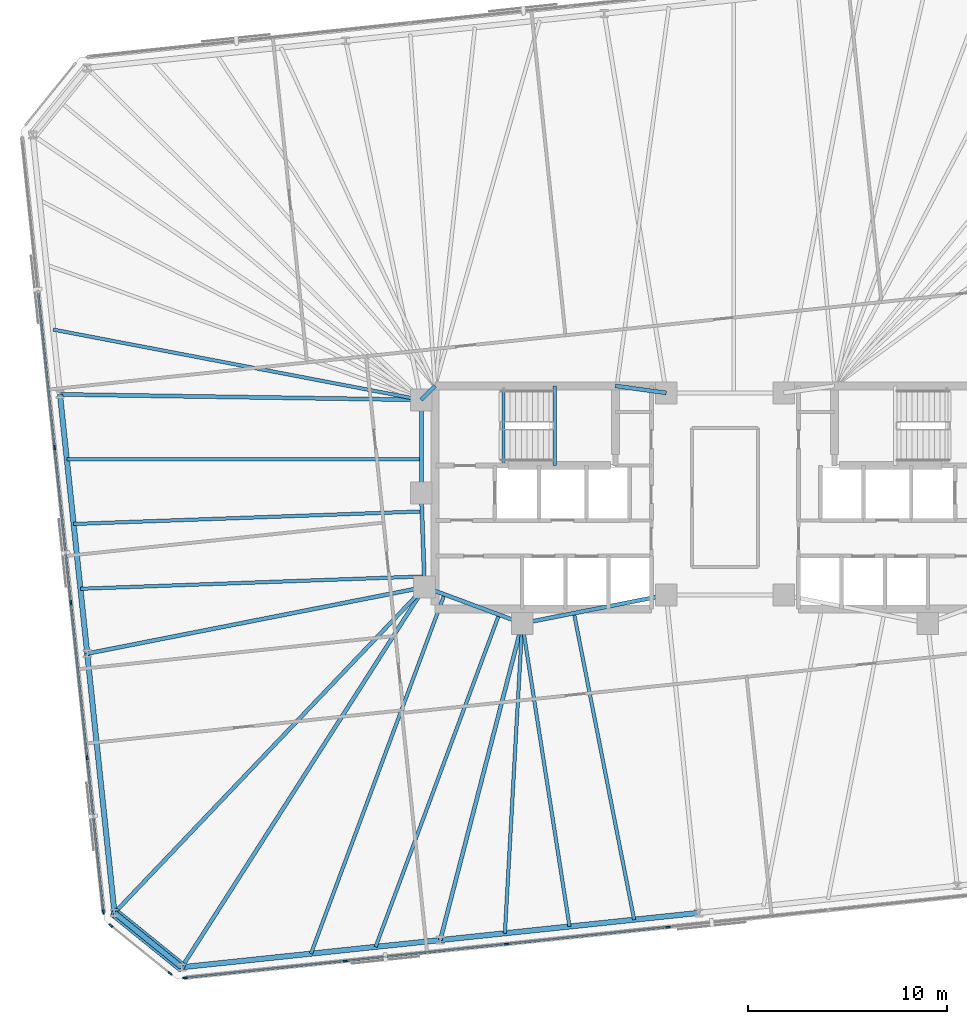
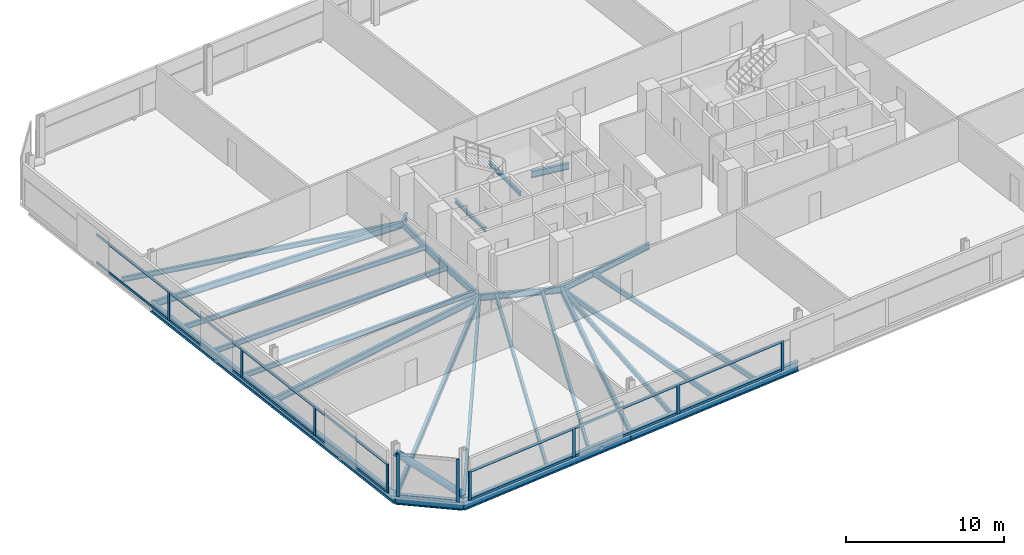
# One storey, part 6 of 18: 27 beams, 25 members, 3 elements without a shape of their own.
"""IFC4 building model written with IfcOpenShell, lengths in metres."""

import ifcopenshell
import ifcopenshell.guid

model = None  # the IFC model being written
_history = None  # IfcOwnerHistory: only IFC2X3 demands one
_inside = {}  # id of a spatial element -> (the spatial element, [elements in it])
_under = {}  # id of a project, library or spatial element -> (it, [spatial elements below it])
_declared = {}  # id of a project -> (the project, [libraries it declares])
_typed = {}  # id of a type object -> (the type object, [elements of that type])
_made_of = {}  # id of a material, layer set ... -> (it, [elements and type objects made of it])


def new_model(schema):
    """Start an empty IFC model of exactly this schema.

    Asked for "IFC4X3", IfcOpenShell would pick the latest addendum, in which some entities
    have other attributes; the version numbers below select the first issue.
    IFC2X3 requires an IfcOwnerHistory on every rooted entity: one is made here for all.
    """
    global model, _history
    if schema == "IFC4X3":
        model = ifcopenshell.file(schema_version=(4, 3, 0, 0))
    else:
        model = ifcopenshell.file(schema=schema)
    _inside.clear()
    _under.clear()
    _declared.clear()
    _typed.clear()
    _made_of.clear()
    _history = None
    if model.schema == "IFC2X3":
        org = make("IfcOrganization", Name="unknown")
        user = make(
            "IfcPersonAndOrganization",
            ThePerson=make("IfcPerson", FamilyName="unknown"),
            TheOrganization=org,
        )
        app = make(
            "IfcApplication",
            ApplicationDeveloper=org,
            Version="unknown",
            ApplicationFullName="unknown",
            ApplicationIdentifier="unknown",
        )
        _history = make(
            "IfcOwnerHistory",
            OwningUser=user,
            OwningApplication=app,
            ChangeAction="ADDED",
            CreationDate=0,
        )
    return model


def make(cls, **values):
    """One entity of the class cls with the attributes given. An attribute that is None is left unset."""
    return model.create_entity(
        cls, **{name: value for name, value in values.items() if value is not None}
    )


def rooted(cls, **values):
    """An entity with a GlobalId (a new one), such as an element, a storey or a relation."""
    return make(cls, GlobalId=ifcopenshell.guid.new(), OwnerHistory=_history, **values)


def si_unit(unit_type, name, prefix=None):
    """IfcSIUnit, for example si_unit("LENGTHUNIT", "METRE", prefix="MILLI")."""
    return make("IfcSIUnit", UnitType=unit_type, Prefix=prefix, Name=name)


def assignment(units):
    """IfcUnitAssignment: the units of a project."""
    return None if units is None else make("IfcUnitAssignment", Units=units)


def point(xyz):
    """IfcCartesianPoint."""
    return None if xyz is None else make("IfcCartesianPoint", Coordinates=xyz)


def direction(xyz):
    """IfcDirection."""
    return None if xyz is None else make("IfcDirection", DirectionRatios=xyz)


def frame(location, z_axis=None, x_axis=None):
    """IfcAxis2Placement3D, a coordinate frame: its origin and axes. An axis left out is left unset."""
    return make(
        "IfcAxis2Placement3D",
        Location=point(location),
        Axis=direction(z_axis),
        RefDirection=direction(x_axis),
    )


def frame_2d(location, x_axis=None):
    """IfcAxis2Placement2D, a coordinate frame in the plane: its origin and x axis."""
    return make(
        "IfcAxis2Placement2D", Location=point(location), RefDirection=direction(x_axis)
    )


def origin():
    """The frame at (0, 0, 0) with its axes left unset."""
    return frame((0.0, 0.0, 0.0))


def origin_2d():
    """The frame at (0, 0) in the plane with its x axis left unset."""
    return frame_2d((0.0, 0.0))


def place(relative_to, where):
    """IfcLocalPlacement: puts the frame where relative to a parent placement (None: the world)."""
    return make(
        "IfcLocalPlacement", PlacementRelTo=relative_to, RelativePlacement=where
    )


def context(
    kind, dimensions, precision=None, world=None, true_north=None, identifier=None
):
    """IfcGeometricRepresentationContext, for example the 3D "Model" context."""
    return make(
        "IfcGeometricRepresentationContext",
        ContextIdentifier=identifier,
        ContextType=kind,
        CoordinateSpaceDimension=dimensions,
        Precision=precision,
        WorldCoordinateSystem=world,
        TrueNorth=true_north,
    )


def subcontext(parent, identifier, kind, view, scale=None):
    """IfcGeometricRepresentationSubContext, for example "Body" below "Model"."""
    return make(
        "IfcGeometricRepresentationSubContext",
        ContextIdentifier=identifier,
        ContextType=kind,
        ParentContext=parent,
        TargetScale=scale,
        TargetView=view,
    )


def project(units=None, contexts=None):
    """IfcProject with its units and contexts."""
    return rooted(
        "IfcProject",
        Name="project",
        RepresentationContexts=contexts,
        UnitsInContext=assignment(units),
    )


def spatial(cls, under=None, at=None, **own):
    """A site, building, storey or space (cls), placed at a placement, below another one or the project."""
    s = rooted(cls, ObjectPlacement=at, **own)
    if under is not None:
        _under.setdefault(under.id(), (under, []))[1].append(s)
    return s


def profile(cls, at=None, kind="AREA", **sizes):
    """A parametric profile (cls). Its sizes go by their IFC names, for example OverallWidth=200.0."""
    return make(cls, ProfileType=kind, Position=at, **sizes)


def rectangle(**sizes):
    """IfcRectangleProfileDef."""
    return profile("IfcRectangleProfileDef", **sizes)


def hollow_circle(**sizes):
    """IfcCircleHollowProfileDef."""
    return profile("IfcCircleHollowProfileDef", **sizes)


def i_section(**sizes):
    """IfcIShapeProfileDef."""
    return profile("IfcIShapeProfileDef", **sizes)


def extrude(swept, where, along, depth):
    """IfcExtrudedAreaSolid: the profile swept, set in the frame where, extruded along a direction by depth."""
    return make(
        "IfcExtrudedAreaSolid",
        SweptArea=swept,
        Position=where,
        ExtrudedDirection=direction(along),
        Depth=depth,
    )


def shape(context_of_items, identifier, shape_type, items):
    """IfcShapeRepresentation: the items that make up one representation, for example the "Body"."""
    return make(
        "IfcShapeRepresentation",
        ContextOfItems=context_of_items,
        RepresentationIdentifier=identifier,
        RepresentationType=shape_type,
        Items=items,
    )


def material(Name=None, Category=None):
    """IfcMaterial."""
    return make("IfcMaterial", Name=Name, Category=Category)


def material_profile(
    of_material, cross_section, Name=None, Category=None, Priority=None
):
    """IfcMaterialProfile: a cross section and its material."""
    return make(
        "IfcMaterialProfile",
        Name=Name,
        Material=of_material,
        Profile=cross_section,
        Priority=Priority,
        Category=Category,
    )


def profile_set(profiles, Name=None, composite=None):
    """IfcMaterialProfileSet."""
    return make(
        "IfcMaterialProfileSet",
        Name=Name,
        MaterialProfiles=profiles,
        CompositeProfile=composite,
    )


def made_of(thing, what):
    """Note that an element or type object is made of a material, layer set ...; save() writes the relation."""
    if what is not None:
        _made_of.setdefault(what.id(), (what, []))[1].append(thing)
    return thing


def type_object(cls, material=None, **own):
    """A type object (cls), such as IfcWallType, which elements share."""
    return made_of(rooted(cls, **own), material)


def element(
    cls,
    number,
    at=None,
    inside=None,
    cuts=None,
    type_object=None,
    material=None,
    context=None,
    identifier="Body",
    shape_type=None,
    held_by="IfcProductDefinitionShape",
    body=None,
    shapes=None,
    **own,
):
    """One element of the class cls, such as IfcWall. Its Tag is "e" and its number.

    at: its placement. inside: the storey or other place that contains it. cuts: it is an
    opening in that element (IfcRelVoidsElement). A single representation is given by context,
    identifier, shape_type and body (its items); several are given by shapes. held_by: the class
    of the entity that holds the representations. save() writes the other relations.
    """
    e = rooted(cls, Tag="e%d" % number, ObjectPlacement=at, **own)
    if body is not None:
        shapes = [shape(context, identifier, shape_type, body)]
    if shapes is not None:
        e.Representation = make(held_by, Representations=shapes)
    if inside is not None:
        _inside.setdefault(inside.id(), (inside, []))[1].append(e)
    if cuts is not None:
        rooted(
            "IfcRelVoidsElement", RelatingBuildingElement=cuts, RelatedOpeningElement=e
        )
    if type_object is not None:
        _typed.setdefault(type_object.id(), (type_object, []))[1].append(e)
    return made_of(e, material)


def aggregate(whole, parts):
    """IfcRelAggregates: a whole, such as a stair, and the parts it consists of."""
    return rooted("IfcRelAggregates", RelatingObject=whole, RelatedObjects=parts)


def save(model, path):
    """Write the relations noted so far, then the file.

    IfcRelAggregates (storeys below a building ...), IfcRelContainedInSpatialStructure (elements
    in a storey), IfcRelDefinesByType, IfcRelAssociatesMaterial and IfcRelDeclares: one each for
    every whole, place, type object, material and project.
    """
    for whole, parts in _under.values():
        aggregate(whole, parts)
    for where, things in _inside.values():
        rooted(
            "IfcRelContainedInSpatialStructure",
            RelatedElements=things,
            RelatingStructure=where,
        )
    for kind, things in _typed.values():
        rooted("IfcRelDefinesByType", RelatedObjects=things, RelatingType=kind)
    for what, things in _made_of.values():
        rooted("IfcRelAssociatesMaterial", RelatedObjects=things, RelatingMaterial=what)
    for by, libraries in _declared.values():
        rooted("IfcRelDeclares", RelatingContext=by, RelatedDefinitions=libraries)
    model.write(path)


model = new_model("IFC4")

# Units and contexts
model_context = context("Model", 3, precision=1e-05, world=origin(), true_north=direction((0.0, 1.0)))
body_context = subcontext(model_context, "Body", "Model", "MODEL_VIEW")
ifc_project = project(units=[si_unit("LENGTHUNIT", "METRE"), si_unit("AREAUNIT", "SQUARE_METRE"), si_unit("VOLUMEUNIT", "CUBIC_METRE"), si_unit("PLANEANGLEUNIT", "RADIAN"), si_unit("MASSUNIT", "GRAM", prefix="KILO")], contexts=[model_context])

# Site, building, storey
site_placement = place(None, origin())
site = spatial("IfcSite", under=ifc_project, at=site_placement, CompositionType="ELEMENT")
building_placement = place(site_placement, origin())
building = spatial("IfcBuilding", under=site, at=building_placement, Name="Menara Jurai Vektor", CompositionType="ELEMENT")
storey_placement = place(building_placement, frame((0.0, 0.0, 139.199951171875)))
storey = spatial("IfcBuildingStorey", under=building, at=storey_placement, Name="L35", CompositionType="ELEMENT", Elevation=139.199951171875)

# Curtain wall, members
ifc_material_1 = material(Name="Anodised Pale Aluminium & Low-E Double Glazing", Category="aluminium")
curtain_wall_type = type_object("IfcCurtainWallType", Name="CW-BLK2", PredefinedType="NOTDEFINED", material=ifc_material_1)
curtain_wall_1_placement = place(storey_placement, origin())
curtain_wall_1 = element("IfcCurtainWall", 1, at=curtain_wall_1_placement, inside=storey, type_object=curtain_wall_type, Name="Unitised Curtain Wall L35 F01", PredefinedType="NOTDEFINED")
ifc_material_2 = material(Name="Anodised Pale Aluminium Mullion", Category="aluminium")
ifc_material_profile_1 = material_profile(ifc_material_2, rectangle(XDim=0.090087890625, YDim=0.219970703125, at=origin_2d()), Name="ALU MUL 90x220")
ifc_profile_set_1 = profile_set([ifc_material_profile_1], Name="Anodised Pale Aluminium Mullion")
member_type_1 = type_object("IfcMemberType", Name="CW-BLK2-MUL", PredefinedType="MULLION", material=ifc_profile_set_1)
member_1_placement = place(storey_placement, frame((-27.116455078125, -24.122314453125, 0.0), z_axis=(0.0, 0.0, 1.0), x_axis=(-0.104528634935, 0.994521877325, 0.0)))
member_1 = element("IfcMember", 2, at=member_1_placement, type_object=member_type_1, Name="CW-02 mullion 1", PredefinedType="MULLION", context=body_context, shape_type="SweptSolid", body=[
    extrude(rectangle(XDim=0.090087890625, YDim=0.219970703125, at=origin_2d()), origin(), (0.0, 0.0, 1.0), 2.259033203125),
])
member_2_placement = place(storey_placement, frame((-19.0634765625, -23.27587890625, 0.0), z_axis=(0.0, 0.0, 1.0), x_axis=(-0.104528634935, 0.994521877325, 0.0)))
member_2 = element("IfcMember", 3, at=member_2_placement, type_object=member_type_1, Name="CW-02 mullion 2", PredefinedType="MULLION", context=body_context, shape_type="SweptSolid", body=[
    extrude(rectangle(XDim=0.090087890625, YDim=0.219970703125, at=origin_2d()), origin(), (0.0, 0.0, 1.0), 2.259033203125),
])
member_3_placement = place(storey_placement, frame((-10.965576171875, -22.4248046875, 0.0), z_axis=(0.0, 0.0, 1.0), x_axis=(-0.104528634935, 0.994521877325, 0.0)))
member_3 = element("IfcMember", 4, at=member_3_placement, type_object=member_type_1, Name="CW-02 mullion 3", PredefinedType="MULLION", context=body_context, shape_type="SweptSolid", body=[
    extrude(rectangle(XDim=0.090087890625, YDim=0.219970703125, at=origin_2d()), origin(), (0.0, 0.0, 1.0), 2.259033203125),
])
member_4_placement = place(storey_placement, frame((-2.86767578125, -21.57373046875, 0.0), z_axis=(0.0, 0.0, 1.0), x_axis=(-0.104528634935, 0.994521877325, 0.0)))
member_4 = element("IfcMember", 5, at=member_4_placement, type_object=member_type_1, Name="CW-02 mullion 4", PredefinedType="MULLION", context=body_context, shape_type="SweptSolid", body=[
    extrude(rectangle(XDim=0.090087890625, YDim=0.219970703125, at=origin_2d()), origin(), (0.0, 0.0, 1.0), 2.259033203125),
])

curtain_wall_2_placement = place(storey_placement, origin())
curtain_wall_2 = element("IfcCurtainWall", 6, at=curtain_wall_2_placement, inside=storey, type_object=curtain_wall_type, Name="Unitised Curtain Wall L35 F07", PredefinedType="NOTDEFINED")
member_5_placement = place(storey_placement, frame((-33.66064453125, 2.50341796875, 0.0), z_axis=(0.0, 0.0, 1.0), x_axis=(0.99452177832, 0.104529576902, 0.0)))
member_5 = element("IfcMember", 7, at=member_5_placement, type_object=member_type_1, Name="CW-02 mullion 3", PredefinedType="MULLION", context=body_context, shape_type="SweptSolid", body=[
    extrude(rectangle(XDim=0.090087890625, YDim=0.219970703125, at=origin_2d()), origin(), (0.0, 0.0, 1.0), 2.259033203125),
])
member_6_placement = place(storey_placement, frame((-32.84228515625, -5.28173828125, 0.0), z_axis=(0.0, 0.0, 1.0), x_axis=(0.99452177832, 0.104529576902, 0.0)))
member_6 = element("IfcMember", 8, at=member_6_placement, type_object=member_type_1, Name="CW-02 mullion 4", PredefinedType="MULLION", context=body_context, shape_type="SweptSolid", body=[
    extrude(rectangle(XDim=0.090087890625, YDim=0.219970703125, at=origin_2d()), origin(), (0.0, 0.0, 1.0), 2.259033203125),
])
member_7_placement = place(storey_placement, frame((-32.024169921875, -13.06689453125, 0.0), z_axis=(0.0, 0.0, 1.0), x_axis=(0.99452177832, 0.104529576902, 0.0)))
member_7 = element("IfcMember", 9, at=member_7_placement, type_object=member_type_1, Name="CW-02 mullion 5", PredefinedType="MULLION", context=body_context, shape_type="SweptSolid", body=[
    extrude(rectangle(XDim=0.090087890625, YDim=0.219970703125, at=origin_2d()), origin(), (0.0, 0.0, 1.0), 2.259033203125),
])
member_8_placement = place(storey_placement, frame((-31.21044921875, -20.80712890625, 0.0), z_axis=(0.0, 0.0, 1.0), x_axis=(0.99452177832, 0.104529576902, 0.0)))
member_8 = element("IfcMember", 10, at=member_8_placement, type_object=member_type_1, Name="CW-02 mullion 6", PredefinedType="MULLION", context=body_context, shape_type="SweptSolid", body=[
    extrude(rectangle(XDim=0.090087890625, YDim=0.219970703125, at=origin_2d()), origin(), (0.0, 0.0, 1.0), 2.259033203125),
])

curtain_wall_3_placement = place(storey_placement, origin())
curtain_wall_3 = element("IfcCurtainWall", 11, at=curtain_wall_3_placement, inside=storey, type_object=curtain_wall_type, Name="Unitised Curtain Wall L35 F08", PredefinedType="NOTDEFINED")
member_9_placement = place(storey_placement, frame((-30.8359375, -21.497314453125, 0.0), z_axis=(0.0, 0.0, 1.0), x_axis=(0.629313085353, 0.777151877437, 0.0)))
member_9 = element("IfcMember", 12, at=member_9_placement, type_object=member_type_1, Name="CW-02 mullion 1", PredefinedType="MULLION", context=body_context, shape_type="SweptSolid", body=[
    extrude(rectangle(XDim=0.090087890625, YDim=0.219970703125, at=origin_2d()), origin(), (0.0, 0.0, 1.0), 3.295166015625),
])
member_10_placement = place(storey_placement, frame((-27.869384765625, -23.8994140625, 0.0), z_axis=(0.0, 0.0, 1.0), x_axis=(0.629313085353, 0.777151877437, 0.0)))
member_10 = element("IfcMember", 13, at=member_10_placement, type_object=member_type_1, Name="CW-02 mullion 2", PredefinedType="MULLION", context=body_context, shape_type="SweptSolid", body=[
    extrude(rectangle(XDim=0.090087890625, YDim=0.219970703125, at=origin_2d()), origin(), (0.0, 0.0, 1.0), 3.295166015625),
])
aggregate(curtain_wall_3, [member_9, member_10])

# Member
ifc_material_3 = material(Name="Anodised Pale Aluminium Transom", Category="aluminium")
ifc_material_profile_2 = material_profile(ifc_material_3, rectangle(XDim=0.090087890625, YDim=0.18505859375, at=origin_2d()), Name="ALU TRN 90x185")
ifc_profile_set_2 = profile_set([ifc_material_profile_2], Name="Anodised Pale Aluminium Transom")
member_type_2 = type_object("IfcMemberType", Name="CW-BLK2-TRN", PredefinedType="USERDEFINED", material=ifc_profile_set_2)
member_11_placement = place(storey_placement, frame((-27.07177734375, -24.11767578125, 0.045166015625), z_axis=(0.994523147415, 0.10451655015, 0.0), x_axis=(-0.10451655015, 0.994523147415, 0.0)))
member_11 = element("IfcMember", 14, at=member_11_placement, type_object=member_type_2, Name="CW-02 transom 1.1", ObjectType="TRANSOM", PredefinedType="USERDEFINED", context=body_context, shape_type="SweptSolid", body=[
    extrude(rectangle(XDim=0.090087890625, YDim=0.18505859375, at=origin_2d()), origin(), (0.0, 0.0, 1.0), 8.007568359375),
])

member_12_placement = place(storey_placement, frame((-27.07177734375, -24.11767578125, 2.214111328125), z_axis=(0.994523147415, 0.10451655015, 0.0), x_axis=(-0.10451655015, 0.994523147415, 0.0)))
member_12 = element("IfcMember", 15, at=member_12_placement, type_object=member_type_2, Name="CW-02 transom 1.2", ObjectType="TRANSOM", PredefinedType="USERDEFINED", context=body_context, shape_type="SweptSolid", body=[
    extrude(rectangle(XDim=0.090087890625, YDim=0.18505859375, at=origin_2d()), origin(), (0.0, 0.0, 1.0), 8.007568359375),
])

member_13_placement = place(storey_placement, frame((-19.0185546875, -23.271240234375, 0.045166015625), z_axis=(0.994520726373, 0.10453958492, 0.0), x_axis=(-0.10453958492, 0.994520726373, 0.0)))
member_13 = element("IfcMember", 16, at=member_13_placement, type_object=member_type_2, Name="CW-02 transom 2.1", ObjectType="TRANSOM", PredefinedType="USERDEFINED", context=body_context, shape_type="SweptSolid", body=[
    extrude(rectangle(XDim=0.090087890625, YDim=0.18505859375, at=origin_2d()), origin(), (0.0, 0.0, 1.0), 8.052490234375),
])

member_14_placement = place(storey_placement, frame((-19.0185546875, -23.271240234375, 2.214111328125), z_axis=(0.994520726373, 0.10453958492, 0.0), x_axis=(-0.10453958492, 0.994520726373, 0.0)))
member_14 = element("IfcMember", 17, at=member_14_placement, type_object=member_type_2, Name="CW-02 transom 2.2", ObjectType="TRANSOM", PredefinedType="USERDEFINED", context=body_context, shape_type="SweptSolid", body=[
    extrude(rectangle(XDim=0.090087890625, YDim=0.18505859375, at=origin_2d()), origin(), (0.0, 0.0, 1.0), 8.052490234375),
])

member_15_placement = place(storey_placement, frame((-10.920654296875, -22.420166015625, 0.045166015625), z_axis=(0.994520726373, 0.10453958492, 0.0), x_axis=(-0.10453958492, 0.994520726373, 0.0)))
member_15 = element("IfcMember", 18, at=member_15_placement, type_object=member_type_2, Name="CW-02 transom 3.1", ObjectType="TRANSOM", PredefinedType="USERDEFINED", context=body_context, shape_type="SweptSolid", body=[
    extrude(rectangle(XDim=0.090087890625, YDim=0.18505859375, at=origin_2d()), origin(), (0.0, 0.0, 1.0), 8.052490234375),
])

member_16_placement = place(storey_placement, frame((-10.920654296875, -22.420166015625, 2.214111328125), z_axis=(0.994520726373, 0.10453958492, 0.0), x_axis=(-0.10453958492, 0.994520726373, 0.0)))
member_16 = element("IfcMember", 19, at=member_16_placement, type_object=member_type_2, Name="CW-02 transom 3.2", ObjectType="TRANSOM", PredefinedType="USERDEFINED", context=body_context, shape_type="SweptSolid", body=[
    extrude(rectangle(XDim=0.090087890625, YDim=0.18505859375, at=origin_2d()), origin(), (0.0, 0.0, 1.0), 8.052490234375),
])

aggregate(curtain_wall_1, [member_1, member_2, member_3, member_4, member_11, member_12, member_13, member_14, member_15, member_16])

member_17_placement = place(storey_placement, frame((-34.47412109375, 10.243896484375, 0.045166015625), z_axis=(0.104525476786, -0.994522209256, 0.0), x_axis=(0.994522209256, 0.104525476786, 0.0)))
member_17 = element("IfcMember", 20, at=member_17_placement, type_object=member_type_2, Name="CW-02 transom 2.1", ObjectType="TRANSOM", PredefinedType="USERDEFINED", context=body_context, shape_type="SweptSolid", body=[
    extrude(rectangle(XDim=0.090087890625, YDim=0.18505859375, at=origin_2d()), origin(), (0.0, 0.0, 1.0), 7.73828125),
])

member_18_placement = place(storey_placement, frame((-34.47412109375, 10.243896484375, 2.214111328125), z_axis=(0.104525476786, -0.994522209256, 0.0), x_axis=(0.994522209256, 0.104525476786, 0.0)))
member_18 = element("IfcMember", 21, at=member_18_placement, type_object=member_type_2, Name="CW-02 transom 2.2", ObjectType="TRANSOM", PredefinedType="USERDEFINED", context=body_context, shape_type="SweptSolid", body=[
    extrude(rectangle(XDim=0.090087890625, YDim=0.18505859375, at=origin_2d()), origin(), (0.0, 0.0, 1.0), 7.73828125),
])

member_19_placement = place(storey_placement, frame((-33.65576171875, 2.458740234375, 0.045166015625), z_axis=(0.104525476786, -0.994522209256, 0.0), x_axis=(0.994522209256, 0.104525476786, 0.0)))
member_19 = element("IfcMember", 22, at=member_19_placement, type_object=member_type_2, Name="CW-02 transom 3.1", ObjectType="TRANSOM", PredefinedType="USERDEFINED", context=body_context, shape_type="SweptSolid", body=[
    extrude(rectangle(XDim=0.090087890625, YDim=0.18505859375, at=origin_2d()), origin(), (0.0, 0.0, 1.0), 7.73828125),
])

member_20_placement = place(storey_placement, frame((-33.65576171875, 2.458740234375, 2.214111328125), z_axis=(0.104525476786, -0.994522209256, 0.0), x_axis=(0.994522209256, 0.104525476786, 0.0)))
member_20 = element("IfcMember", 23, at=member_20_placement, type_object=member_type_2, Name="CW-02 transom 3.2", ObjectType="TRANSOM", PredefinedType="USERDEFINED", context=body_context, shape_type="SweptSolid", body=[
    extrude(rectangle(XDim=0.090087890625, YDim=0.18505859375, at=origin_2d()), origin(), (0.0, 0.0, 1.0), 7.73828125),
])

member_21_placement = place(storey_placement, frame((-32.837646484375, -5.326416015625, 0.045166015625), z_axis=(0.104525476786, -0.994522209256, 0.0), x_axis=(0.994522209256, 0.104525476786, 0.0)))
member_21 = element("IfcMember", 24, at=member_21_placement, type_object=member_type_2, Name="CW-02 transom 4.1", ObjectType="TRANSOM", PredefinedType="USERDEFINED", context=body_context, shape_type="SweptSolid", body=[
    extrude(rectangle(XDim=0.090087890625, YDim=0.18505859375, at=origin_2d()), origin(), (0.0, 0.0, 1.0), 7.73828125),
])

member_22_placement = place(storey_placement, frame((-32.837646484375, -5.326416015625, 2.214111328125), z_axis=(0.104525476786, -0.994522209256, 0.0), x_axis=(0.994522209256, 0.104525476786, 0.0)))
member_22 = element("IfcMember", 25, at=member_22_placement, type_object=member_type_2, Name="CW-02 transom 4.2", ObjectType="TRANSOM", PredefinedType="USERDEFINED", context=body_context, shape_type="SweptSolid", body=[
    extrude(rectangle(XDim=0.090087890625, YDim=0.18505859375, at=origin_2d()), origin(), (0.0, 0.0, 1.0), 7.73828125),
])

member_23_placement = place(storey_placement, frame((-32.019287109375, -13.111572265625, 0.045166015625), z_axis=(0.104536105602, -0.994521092097, 0.0), x_axis=(0.994521092097, 0.104536105602, 0.0)))
member_23 = element("IfcMember", 26, at=member_23_placement, type_object=member_type_2, Name="CW-02 transom 5.1", ObjectType="TRANSOM", PredefinedType="USERDEFINED", context=body_context, shape_type="SweptSolid", body=[
    extrude(rectangle(XDim=0.090087890625, YDim=0.18505859375, at=origin_2d()), origin(), (0.0, 0.0, 1.0), 7.693115234375),
])

member_24_placement = place(storey_placement, frame((-32.019287109375, -13.111572265625, 2.214111328125), z_axis=(0.104536105602, -0.994521092097, 0.0), x_axis=(0.994521092097, 0.104536105602, 0.0)))
member_24 = element("IfcMember", 27, at=member_24_placement, type_object=member_type_2, Name="CW-02 transom 5.2", ObjectType="TRANSOM", PredefinedType="USERDEFINED", context=body_context, shape_type="SweptSolid", body=[
    extrude(rectangle(XDim=0.090087890625, YDim=0.18505859375, at=origin_2d()), origin(), (0.0, 0.0, 1.0), 7.693115234375),
])

aggregate(curtain_wall_2, [member_5, member_6, member_7, member_8, member_17, member_18, member_19, member_20, member_21, member_22, member_23, member_24])

# Beams
ifc_material_4 = material(Name="Steel S355", Category="steel")
ifc_material_profile_3 = material_profile(ifc_material_4, i_section(OverallWidth=0.199951171875, OverallDepth=0.5, WebThickness=0.011962890625, FlangeThickness=0.02001953125, at=origin_2d()), Name="PG 500x200x96")
ifc_profile_set_3 = profile_set([ifc_material_profile_3], Name="Steel S355")
beam_type_1 = type_object("IfcBeamType", Name="STR-BM-500", PredefinedType="BEAM", material=ifc_profile_set_3)
beam_1_placement = place(storey_placement, frame((-15.25, 4.89990234375, -0.474853515625), z_axis=(0.701871936926, 0.712303154672, 0.0), x_axis=(-0.712303154672, 0.701871936926, 0.0)))
element("IfcBeam", 28, at=beam_1_placement, inside=storey, type_object=beam_type_1, Name="Core Ring Header Girder L35-CHW-N1", PredefinedType="BEAM", context=body_context, shape_type="SweptSolid", body=[
    extrude(i_section(OverallWidth=0.199951171875, OverallDepth=0.5, WebThickness=0.011962890625, FlangeThickness=0.02001953125, at=origin_2d()), origin(), (0.0, 0.0, 1.0), 0.98291015625),
])
beam_2_placement = place(storey_placement, frame((-5.5, 5.60009765625, -0.474853515625), z_axis=(0.990706818608, -0.136014703483, 0.0), x_axis=(0.136014703483, 0.990706818608, 0.0)))
element("IfcBeam", 29, at=beam_2_placement, inside=storey, type_object=beam_type_1, Name="Core Ring Header Girder L35-CHW-N2", PredefinedType="BEAM", context=body_context, shape_type="SweptSolid", body=[
    extrude(i_section(OverallWidth=0.199951171875, OverallDepth=0.5, WebThickness=0.011962890625, FlangeThickness=0.02001953125, at=origin_2d()), origin(), (0.0, 0.0, 1.0), 2.573974609375),
])
beam_3_placement = place(storey_placement, frame((-15.25, 0.219970703125, -0.474853515625), z_axis=(0.0, 1.0, 0.0), x_axis=(-1.0, 0.0, 0.0)))
element("IfcBeam", 30, at=beam_3_placement, inside=storey, type_object=beam_type_1, Name="Core Ring Header Girder L35-CHW-W1", PredefinedType="BEAM", context=body_context, shape_type="SweptSolid", body=[
    extrude(i_section(OverallWidth=0.199951171875, OverallDepth=0.5, WebThickness=0.011962890625, FlangeThickness=0.02001953125, at=origin_2d()), origin(), (0.0, 0.0, 1.0), 4.679931640625),
])
beam_4_placement = place(storey_placement, frame((-15.080078125, -4.5, -0.474853515625), z_axis=(-0.035977314146, 0.999352606874, 0.0), x_axis=(-0.999352606874, -0.035977314146, 0.0)))
element("IfcBeam", 31, at=beam_4_placement, inside=storey, type_object=beam_type_1, Name="Core Ring Header Girder L35-CHW-W2", PredefinedType="BEAM", context=body_context, shape_type="SweptSolid", body=[
    extrude(i_section(OverallWidth=0.199951171875, OverallDepth=0.5, WebThickness=0.011962890625, FlangeThickness=0.02001953125, at=origin_2d()), origin(), (0.0, 0.0, 1.0), 4.72314453125),
])
beam_5_placement = place(storey_placement, frame((-15.080078125, -4.5, -0.474853515625), z_axis=(0.937424400887, -0.348188874925, 0.0), x_axis=(0.348188874925, 0.937424400887, 0.0)))
element("IfcBeam", 32, at=beam_5_placement, inside=storey, type_object=beam_type_1, Name="Core Ring Header Girder L35-CHW-S1", PredefinedType="BEAM", context=body_context, shape_type="SweptSolid", body=[
    extrude(i_section(OverallWidth=0.199951171875, OverallDepth=0.5, WebThickness=0.011962890625, FlangeThickness=0.02001953125, at=origin_2d()), origin(), (0.0, 0.0, 1.0), 5.227294921875),
])
beam_6_placement = place(storey_placement, frame((-10.179931640625, -6.320068359375, -0.474853515625), z_axis=(0.981249044334, 0.192744164614, 0.0), x_axis=(-0.192744164614, 0.981249044334, 0.0)))
element("IfcBeam", 33, at=beam_6_placement, inside=storey, type_object=beam_type_1, Name="Core Ring Header Girder L35-CHW-S2", PredefinedType="BEAM", context=body_context, shape_type="SweptSolid", body=[
    extrude(i_section(OverallWidth=0.199951171875, OverallDepth=0.5, WebThickness=0.011962890625, FlangeThickness=0.02001953125, at=origin_2d()), origin(), (0.0, 0.0, 1.0), 7.3681640625),
])
beam_7_placement = place(storey_placement, frame((-27.2763671875, -23.586181640625, -0.474853515625), z_axis=(0.538462629542, 0.842649391258, 0.0), x_axis=(-0.842649391258, 0.538462629542, 0.0)))
element("IfcBeam", 34, at=beam_7_placement, inside=storey, type_object=beam_type_1, Name="Radial Floor Girder L35-S1", PredefinedType="BEAM", context=body_context, shape_type="SweptSolid", body=[
    extrude(i_section(OverallWidth=0.199951171875, OverallDepth=0.5, WebThickness=0.011962890625, FlangeThickness=0.02001953125, at=origin_2d()), origin(), (0.0, 0.0, 1.0), 22.650146484375),
])
beam_8_placement = place(storey_placement, frame((-14.296630859375, -22.221923828125, -0.474853515625), z_axis=(0.250619644892, 0.968085633399, 0.0), x_axis=(-0.968085633399, 0.250619644892, 0.0)))
element("IfcBeam", 35, at=beam_8_placement, inside=storey, type_object=beam_type_1, Name="Radial Floor Girder L35-S2", PredefinedType="BEAM", context=body_context, shape_type="SweptSolid", body=[
    extrude(i_section(OverallWidth=0.199951171875, OverallDepth=0.5, WebThickness=0.011962890625, FlangeThickness=0.02001953125, at=origin_2d()), origin(), (0.0, 0.0, 1.0), 16.426025390625),
])
beam_9_placement = place(storey_placement, frame((-33.38818359375, 5.175048828125, -0.474853515625), z_axis=(0.999884963566, -0.015167716827, 0.0), x_axis=(0.015167716827, 0.999884963566, 0.0)))
element("IfcBeam", 36, at=beam_9_placement, inside=storey, type_object=beam_type_1, Name="Radial Floor Girder L35-W2", PredefinedType="BEAM", context=body_context, shape_type="SweptSolid", body=[
    extrude(i_section(OverallWidth=0.199951171875, OverallDepth=0.5, WebThickness=0.011962890625, FlangeThickness=0.02001953125, at=origin_2d()), origin(), (0.0, 0.0, 1.0), 18.140380859375),
])
beam_10_placement = place(storey_placement, frame((-32.0205078125, -7.83837890625, -0.474853515625), z_axis=(0.98113039493, 0.193347221714, 0.0), x_axis=(-0.193347221714, 0.98113039493, 0.0)))
element("IfcBeam", 37, at=beam_10_placement, inside=storey, type_object=beam_type_1, Name="Radial Floor Girder L35-W3", PredefinedType="BEAM", context=body_context, shape_type="SweptSolid", body=[
    extrude(i_section(OverallWidth=0.199951171875, OverallDepth=0.5, WebThickness=0.011962890625, FlangeThickness=0.02001953125, at=origin_2d()), origin(), (0.0, 0.0, 1.0), 17.266357421875),
])
beam_11_placement = place(storey_placement, frame((-30.65283203125, -20.85205078125, -0.474853515625), z_axis=(0.689640593718, 0.724151815227, 0.0), x_axis=(-0.724151815227, 0.689640593718, 0.0)))
element("IfcBeam", 38, at=beam_11_placement, inside=storey, type_object=beam_type_1, Name="Radial Floor Girder L35-W4", PredefinedType="BEAM", context=body_context, shape_type="SweptSolid", body=[
    extrude(i_section(OverallWidth=0.199951171875, OverallDepth=0.5, WebThickness=0.011962890625, FlangeThickness=0.02001953125, at=origin_2d()), origin(), (0.0, 0.0, 1.0), 22.5810546875),
])

# Member
ifc_material_5 = material(Name="Steel S460", Category="steel")
ifc_material_profile_4 = material_profile(ifc_material_5, hollow_circle(Radius=0.25390625, WallThickness=0.02001953125, at=origin_2d()), Name="CHS 508x20")
ifc_profile_set_4 = profile_set([ifc_material_profile_4], Name="Steel S460")
member_type_3 = type_object("IfcMemberType", Name="STR-BR-508", PredefinedType="BRACE", material=ifc_profile_set_4)
member_25_placement = place(storey_placement, frame((-27.2763671875, -23.586181640625, 0.150146484375), z_axis=(-0.653593430464, 0.529254723627, 0.541022240922), x_axis=(-0.629309762217, -0.777154568396, 0.0)))
element("IfcMember", 39, at=member_25_placement, inside=storey, type_object=member_type_3, Name="Exoskeleton Corner Brace L35-4", PredefinedType="BRACE", context=body_context, shape_type="SweptSolid", body=[
    extrude(hollow_circle(Radius=0.25390625, WallThickness=0.02001953125, at=origin_2d()), origin(), (0.0, 0.0, 1.0), 5.166015625),
])

# Beams
ifc_material_profile_5 = material_profile(ifc_material_4, i_section(OverallWidth=0.175048828125, OverallDepth=0.3798828125, WebThickness=0.010009765625, FlangeThickness=0.014892578125, at=origin_2d()), Name="PG 380x175x58")
ifc_profile_set_5 = profile_set([ifc_material_profile_5], Name="Steel S355")
beam_type_2 = type_object("IfcBeamType", Name="STR-JS-380", PredefinedType="JOIST", material=ifc_profile_set_5)
beam_12_placement = place(storey_placement, frame((-20.78662109375, -22.904052734375, -0.4150390625), z_axis=(0.34819162731, 0.93742337856, 0.0), x_axis=(-0.93742337856, 0.34819162731, 0.0)))
element("IfcBeam", 40, at=beam_12_placement, inside=storey, type_object=beam_type_2, Name="Radial Secondary Floor Joist L35-JS01", PredefinedType="JOIST", context=body_context, shape_type="SweptSolid", body=[
    extrude(i_section(OverallWidth=0.175048828125, OverallDepth=0.3798828125, WebThickness=0.010009765625, FlangeThickness=0.014892578125, at=origin_2d()), origin(), (0.0, 0.0, 1.0), 19.2392578125),
])
beam_13_placement = place(storey_placement, frame((-17.54150390625, -22.56298828125, -0.4150390625), z_axis=(0.348184462185, 0.937426039906, 0.0), x_axis=(-0.937426039906, 0.348184462185, 0.0)))
element("IfcBeam", 41, at=beam_13_placement, inside=storey, type_object=beam_type_2, Name="Radial Secondary Floor Joist L35-JS02", PredefinedType="JOIST", context=body_context, shape_type="SweptSolid", body=[
    extrude(i_section(OverallWidth=0.175048828125, OverallDepth=0.3798828125, WebThickness=0.010009765625, FlangeThickness=0.014892578125, at=origin_2d()), origin(), (0.0, 0.0, 1.0), 17.789794921875),
])
beam_14_placement = place(storey_placement, frame((-11.0517578125, -21.880859375, -0.4150390625), z_axis=(0.055939382302, 0.998434166837, 0.0), x_axis=(-0.998434166837, 0.055939382302, 0.0)))
element("IfcBeam", 42, at=beam_14_placement, inside=storey, type_object=beam_type_2, Name="Radial Secondary Floor Joist L35-JS03", PredefinedType="JOIST", context=body_context, shape_type="SweptSolid", body=[
    extrude(i_section(OverallWidth=0.175048828125, OverallDepth=0.3798828125, WebThickness=0.010009765625, FlangeThickness=0.014892578125, at=origin_2d()), origin(), (0.0, 0.0, 1.0), 15.585205078125),
])
beam_15_placement = place(storey_placement, frame((-7.806884765625, -21.539794921875, -0.4150390625), z_axis=(-0.154057765645, 0.988061842622, 0.0), x_axis=(-0.988061842622, -0.154057765645, 0.0)))
element("IfcBeam", 43, at=beam_15_placement, inside=storey, type_object=beam_type_2, Name="Radial Secondary Floor Joist L35-JS04", PredefinedType="JOIST", context=body_context, shape_type="SweptSolid", body=[
    extrude(i_section(OverallWidth=0.175048828125, OverallDepth=0.3798828125, WebThickness=0.010009765625, FlangeThickness=0.014892578125, at=origin_2d()), origin(), (0.0, 0.0, 1.0), 15.403564453125),
])
beam_16_placement = place(storey_placement, frame((-4.56201171875, -21.19873046875, -0.4150390625), z_axis=(-0.19271398667, 0.981254971627, 0.0), x_axis=(-0.981254971627, -0.19271398667, 0.0)))
element("IfcBeam", 44, at=beam_16_placement, inside=storey, type_object=beam_type_2, Name="Radial Secondary Floor Joist L35-JS05", PredefinedType="JOIST", context=body_context, shape_type="SweptSolid", body=[
    extrude(i_section(OverallWidth=0.175048828125, OverallDepth=0.3798828125, WebThickness=0.010009765625, FlangeThickness=0.014892578125, at=origin_2d()), origin(), (0.0, 0.0, 1.0), 15.682373046875),
])
beam_17_placement = place(storey_placement, frame((-33.730224609375, 8.428466796875, -0.4150390625), z_axis=(0.982255215221, -0.187549172674, 0.0), x_axis=(0.187549172674, 0.982255215221, 0.0)))
element("IfcBeam", 45, at=beam_17_placement, inside=storey, type_object=beam_type_2, Name="Radial Secondary Floor Joist L35-JS38", PredefinedType="JOIST", context=body_context, shape_type="SweptSolid", body=[
    extrude(i_section(OverallWidth=0.175048828125, OverallDepth=0.3798828125, WebThickness=0.010009765625, FlangeThickness=0.014892578125, at=origin_2d()), origin(), (0.0, 0.0, 1.0), 18.81396484375),
])
beam_18_placement = place(storey_placement, frame((-33.04638671875, 1.921630859375, -0.4150390625), z_axis=(1.0, 0.0, 0.0), x_axis=(0.0, 1.0, 0.0)))
element("IfcBeam", 46, at=beam_18_placement, inside=storey, type_object=beam_type_2, Name="Radial Secondary Floor Joist L35-JS39", PredefinedType="JOIST", context=body_context, shape_type="SweptSolid", body=[
    extrude(i_section(OverallWidth=0.175048828125, OverallDepth=0.3798828125, WebThickness=0.010009765625, FlangeThickness=0.014892578125, at=origin_2d()), origin(), (0.0, 0.0, 1.0), 17.79638671875),
])
beam_19_placement = place(storey_placement, frame((-32.704345703125, -1.331787109375, -0.4150390625), z_axis=(0.999351948809, 0.035995588769, 0.0), x_axis=(-0.035995588769, 0.999351948809, 0.0)))
element("IfcBeam", 47, at=beam_19_placement, inside=storey, type_object=beam_type_2, Name="Radial Secondary Floor Joist L35-JS40", PredefinedType="JOIST", context=body_context, shape_type="SweptSolid", body=[
    extrude(i_section(OverallWidth=0.175048828125, OverallDepth=0.3798828125, WebThickness=0.010009765625, FlangeThickness=0.014892578125, at=origin_2d()), origin(), (0.0, 0.0, 1.0), 17.498779296875),
])
beam_20_placement = place(storey_placement, frame((-32.362548828125, -4.5849609375, -0.4150390625), z_axis=(0.999352405578, 0.03598290517, 0.0), x_axis=(-0.03598290517, 0.999352405578, 0.0)))
element("IfcBeam", 48, at=beam_20_placement, inside=storey, type_object=beam_type_2, Name="Radial Secondary Floor Joist L35-JS41", PredefinedType="JOIST", context=body_context, shape_type="SweptSolid", body=[
    extrude(i_section(OverallWidth=0.175048828125, OverallDepth=0.3798828125, WebThickness=0.010009765625, FlangeThickness=0.014892578125, at=origin_2d()), origin(), (0.0, 0.0, 1.0), 17.2744140625),
])
ifc_material_profile_6 = material_profile(ifc_material_4, i_section(OverallWidth=0.1650390625, OverallDepth=0.302978515625, WebThickness=0.006103515625, FlangeThickness=0.010009765625, FilletRadius=0.009033203125, at=origin_2d()), Name="UKB 305x165x40")
ifc_profile_set_6 = profile_set([ifc_material_profile_6], Name="Steel S355")
beam_type_3 = type_object("IfcBeamType", Name="STR-LN-305", PredefinedType="LINTEL", material=ifc_profile_set_6)
beam_21_placement = place(storey_placement, frame((-11.1201171875, 1.60009765625, -0.37646484375), z_axis=(0.0, 1.0, 0.0), x_axis=(-1.0, 0.0, 0.0)))
element("IfcBeam", 49, at=beam_21_placement, inside=storey, type_object=beam_type_3, Name="Stair Well Floor Trimmer ST1 L35", PredefinedType="LINTEL", context=body_context, shape_type="SweptSolid", body=[
    extrude(i_section(OverallWidth=0.1650390625, OverallDepth=0.302978515625, WebThickness=0.006103515625, FlangeThickness=0.010009765625, FilletRadius=0.009033203125, at=origin_2d()), origin(), (0.0, 0.0, 1.0), 3.81982421875),
])
beam_22_placement = place(storey_placement, frame((-8.550048828125, 1.60009765625, 1.49853515625), z_axis=(0.0, 1.0, 0.0), x_axis=(-1.0, 0.0, 0.0)))
element("IfcBeam", 50, at=beam_22_placement, inside=storey, type_object=beam_type_3, Name="Stair Half-Landing Nosing Trimmer ST1-1 L35", PredefinedType="LINTEL", context=body_context, shape_type="SweptSolid", body=[
    extrude(i_section(OverallWidth=0.1650390625, OverallDepth=0.302978515625, WebThickness=0.006103515625, FlangeThickness=0.010009765625, FilletRadius=0.009033203125, at=origin_2d()), origin(), (0.0, 0.0, 1.0), 4.0),
])
ifc_material_profile_7 = material_profile(ifc_material_5, i_section(OverallWidth=0.26806640625, OverallDepth=0.77001953125, WebThickness=0.01611328125, FlangeThickness=0.02490234375, FilletRadius=0.01708984375, at=origin_2d()), Name="UKB 762x267x197")
ifc_profile_set_7 = profile_set([ifc_material_profile_7], Name="Steel S460")
beam_type_4 = type_object("IfcBeamType", Name="STR-SP-762", PredefinedType="SPANDREL", material=ifc_profile_set_7)
for number, where, z_axis, x_axis, name in (
    (51, (-27.2763671875, -23.586181640625, -0.60986328125), (0.994521636083, 0.104530930169, 0.0), (-0.104530930169, 0.994521636083, 0.0), "Exoskeleton Spandrel Beam L35-01"),
    (52, (-14.296630859375, -22.221923828125, -0.60986328125), (0.994523580592, 0.104512428191, 0.0), (-0.104512428191, 0.994523580592, 0.0), "Exoskeleton Spandrel Beam L35-02"),
):
    element("IfcBeam", number, at=place(storey_placement, frame(where, z_axis=z_axis, x_axis=x_axis)), inside=storey, type_object=beam_type_4, Name=name, PredefinedType="SPANDREL", context=body_context, shape_type="SweptSolid", body=[
        extrude(i_section(OverallWidth=0.26806640625, OverallDepth=0.77001953125, WebThickness=0.01611328125, FlangeThickness=0.02490234375, FilletRadius=0.01708984375, at=origin_2d()), origin(), (0.0, 0.0, 1.0), 13.05126953125),
    ])
beam_23_placement = place(storey_placement, frame((-33.38818359375, 5.175048828125, -0.60986328125), z_axis=(0.104521615846, -0.994522615037, 0.0), x_axis=(0.994522615037, 0.104521615846, 0.0)))
element("IfcBeam", 53, at=beam_23_placement, inside=storey, type_object=beam_type_4, Name="Exoskeleton Spandrel Beam L35-18", PredefinedType="SPANDREL", context=body_context, shape_type="SweptSolid", body=[
    extrude(i_section(OverallWidth=0.26806640625, OverallDepth=0.77001953125, WebThickness=0.01611328125, FlangeThickness=0.02490234375, FilletRadius=0.01708984375, at=origin_2d()), origin(), (0.0, 0.0, 1.0), 13.085205078125),
])
beam_24_placement = place(storey_placement, frame((-32.0205078125, -7.83837890625, -0.60986328125), z_axis=(0.104519676409, -0.994522818865, 0.0), x_axis=(0.994522818865, 0.104519676409, 0.0)))
element("IfcBeam", 54, at=beam_24_placement, inside=storey, type_object=beam_type_4, Name="Exoskeleton Spandrel Beam L35-19", PredefinedType="SPANDREL", context=body_context, shape_type="SweptSolid", body=[
    extrude(i_section(OverallWidth=0.26806640625, OverallDepth=0.77001953125, WebThickness=0.01611328125, FlangeThickness=0.02490234375, FilletRadius=0.01708984375, at=origin_2d()), origin(), (0.0, 0.0, 1.0), 13.08544921875),
])
beam_25_placement = place(storey_placement, frame((-30.65283203125, -20.85205078125, -0.60986328125), z_axis=(0.777154568396, -0.629309762217, 0.0), x_axis=(0.629309762217, 0.777154568396, 0.0)))
element("IfcBeam", 55, at=beam_25_placement, inside=storey, type_object=beam_type_4, Name="Exoskeleton Spandrel Beam L35-20", PredefinedType="SPANDREL", context=body_context, shape_type="SweptSolid", body=[
    extrude(i_section(OverallWidth=0.26806640625, OverallDepth=0.77001953125, WebThickness=0.01611328125, FlangeThickness=0.02490234375, FilletRadius=0.01708984375, at=origin_2d()), origin(), (0.0, 0.0, 1.0), 4.3447265625),
])

save(model, "model.ifc")
